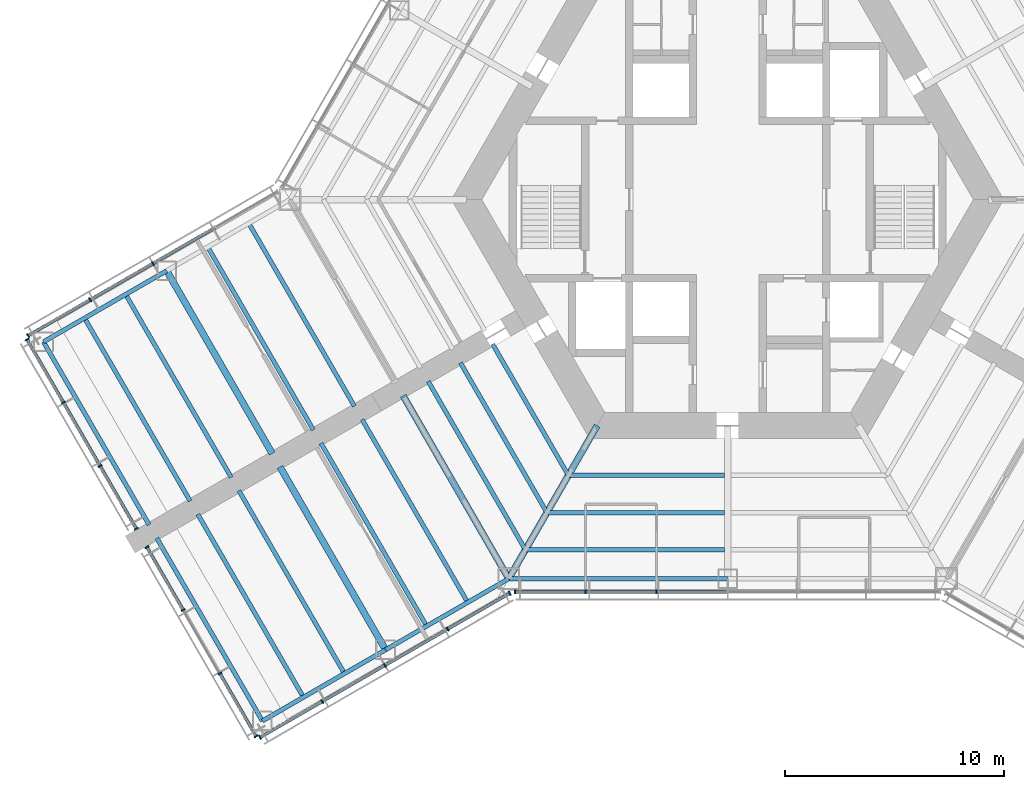
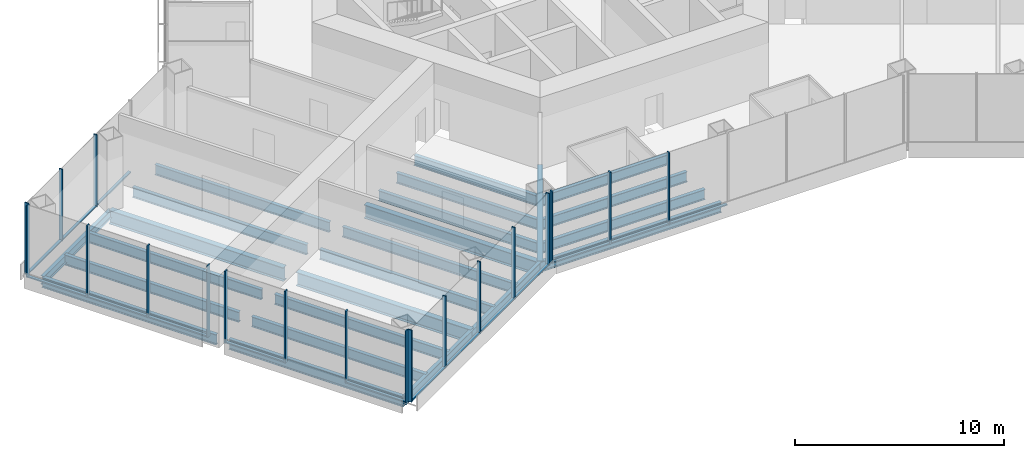
# One storey, part 2 of 17: 34 members, 24 beams, 5 elements without a shape of their own.
"""IFC4 building model written with IfcOpenShell, lengths in metres."""

from ifc_helpers import new_model, si_unit, direction, frame, origin, origin_2d, place, context, subcontext, project, spatial, rectangle, i_section, extrude, material, material_profile, profile_set, type_object, element, aggregate, save


model = new_model("IFC4")

# Units and contexts
model_context = context("Model", 3, precision=1e-05, world=origin(), true_north=direction((0.0, 1.0)))
body_context = subcontext(model_context, "Body", "Model", "MODEL_VIEW")
ifc_project = project(units=[si_unit("LENGTHUNIT", "METRE"), si_unit("AREAUNIT", "SQUARE_METRE"), si_unit("VOLUMEUNIT", "CUBIC_METRE"), si_unit("PLANEANGLEUNIT", "RADIAN"), si_unit("MASSUNIT", "GRAM", prefix="KILO")], contexts=[model_context])

# Site, building, storey
site_placement = place(None, origin())
site = spatial("IfcSite", under=ifc_project, at=site_placement, CompositionType="ELEMENT")
building_placement = place(site_placement, origin())
building = spatial("IfcBuilding", under=site, at=building_placement, Name="Kasaneha Research Tower", CompositionType="ELEMENT")
storey_placement = place(building_placement, frame((0.0, 0.0, 43.60009765625)))
storey = spatial("IfcBuildingStorey", under=building, at=storey_placement, Name="L11", CompositionType="ELEMENT", Elevation=43.60009765625)

# Beams
ifc_material_1 = material(Name="Steel SN490B", Category="steel")
ifc_material_profile_1 = material_profile(ifc_material_1, i_section(OverallWidth=0.199951171875, OverallDepth=0.60009765625, WebThickness=0.010986328125, FlangeThickness=0.01708984375, FilletRadius=0.012939453125, at=origin_2d()), Name="H-600x200x11x17")
ifc_profile_set_1 = profile_set([ifc_material_profile_1], Name="Steel SN490B")
beam_type_1 = type_object("IfcBeamType", Name="B1-2 secondary beam H-600x200x11x17", PredefinedType="JOIST", material=ifc_profile_set_1)
beam_1_placement = place(storey_placement, frame((-7.274658203125, -12.60009765625, -0.47021484375), z_axis=(-0.499972710878, 0.866041158593, 0.0), x_axis=(-0.866041158593, -0.499972710878, 0.0)))
element("IfcBeam", 1, at=beam_1_placement, inside=storey, type_object=beam_type_1, Name="Secondary beam RS210R1 L11", PredefinedType="JOIST", context=body_context, shape_type="SweptSolid", body=[
    extrude(i_section(OverallWidth=0.199951171875, OverallDepth=0.60009765625, WebThickness=0.010986328125, FlangeThickness=0.01708984375, FilletRadius=0.012939453125, at=origin_2d()), origin(), (0.0, 0.0, 1.0), 6.9248046875),
])
beam_2_placement = place(storey_placement, frame((-8.256103515625, -14.300048828125, -0.47021484375), z_axis=(-0.500004902938, 0.866022573054, 0.0), x_axis=(-0.866022573054, -0.500004902938, 0.0)))
element("IfcBeam", 2, at=beam_2_placement, inside=storey, type_object=beam_type_1, Name="Secondary beam RS210R2 L11", PredefinedType="JOIST", context=body_context, shape_type="SweptSolid", body=[
    extrude(i_section(OverallWidth=0.199951171875, OverallDepth=0.60009765625, WebThickness=0.010986328125, FlangeThickness=0.01708984375, FilletRadius=0.012939453125, at=origin_2d()), origin(), (0.0, 0.0, 1.0), 7.90625),
])
beam_3_placement = place(storey_placement, frame((-9.237548828125, -16.0, -0.47021484375), z_axis=(-0.500009382636, 0.866019986649, 0.0), x_axis=(-0.866019986649, -0.500009382636, 0.0)))
element("IfcBeam", 3, at=beam_3_placement, inside=storey, type_object=beam_type_1, Name="Secondary beam RS210R3 L11", PredefinedType="JOIST", context=body_context, shape_type="SweptSolid", body=[
    extrude(i_section(OverallWidth=0.199951171875, OverallDepth=0.60009765625, WebThickness=0.010986328125, FlangeThickness=0.01708984375, FilletRadius=0.012939453125, at=origin_2d()), origin(), (0.0, 0.0, 1.0), 8.887451171875),
])
beam_4_placement = place(storey_placement, frame((-7.274658203125, -12.60009765625, -0.47021484375), z_axis=(1.0, 0.0, 0.0), x_axis=(0.0, 1.0, 0.0)))
element("IfcBeam", 4, at=beam_4_placement, inside=storey, type_object=beam_type_1, Name="Secondary beam RS270L1 L11", PredefinedType="JOIST", context=body_context, shape_type="SweptSolid", body=[
    extrude(i_section(OverallWidth=0.199951171875, OverallDepth=0.60009765625, WebThickness=0.010986328125, FlangeThickness=0.01708984375, FilletRadius=0.012939453125, at=origin_2d()), origin(), (0.0, 0.0, 1.0), 7.124755859375),
])
beam_5_placement = place(storey_placement, frame((-8.256103515625, -14.300048828125, -0.47021484375), z_axis=(1.0, 0.0, 0.0), x_axis=(0.0, 1.0, 0.0)))
element("IfcBeam", 5, at=beam_5_placement, inside=storey, type_object=beam_type_1, Name="Secondary beam RS270L2 L11", PredefinedType="JOIST", context=body_context, shape_type="SweptSolid", body=[
    extrude(i_section(OverallWidth=0.199951171875, OverallDepth=0.60009765625, WebThickness=0.010986328125, FlangeThickness=0.01708984375, FilletRadius=0.012939453125, at=origin_2d()), origin(), (0.0, 0.0, 1.0), 8.106201171875),
])
beam_6_placement = place(storey_placement, frame((-9.237548828125, -16.0, -0.47021484375), z_axis=(1.0, 0.0, 0.0), x_axis=(0.0, 1.0, 0.0)))
element("IfcBeam", 6, at=beam_6_placement, inside=storey, type_object=beam_type_1, Name="Secondary beam RS270L3 L11", PredefinedType="JOIST", context=body_context, shape_type="SweptSolid", body=[
    extrude(i_section(OverallWidth=0.199951171875, OverallDepth=0.60009765625, WebThickness=0.010986328125, FlangeThickness=0.01708984375, FilletRadius=0.012939453125, at=origin_2d()), origin(), (0.0, 0.0, 1.0), 9.087646484375),
])
ifc_material_2 = material(Name="Steel SN490B", Category="steel")
ifc_material_profile_2 = material_profile(ifc_material_2, i_section(OverallWidth=0.198974609375, OverallDepth=0.595947265625, WebThickness=0.010009765625, FlangeThickness=0.014892578125, FilletRadius=0.012939453125, at=origin_2d()), Name="H-596x199x10x15")
ifc_profile_set_2 = profile_set([ifc_material_profile_2], Name="Steel SN490B")
beam_type_2 = type_object("IfcBeamType", Name="B2-2 secondary beam H-596x199x10x15", PredefinedType="JOIST", material=ifc_profile_set_2)
beam_7_placement = place(storey_placement, frame((-21.87646484375, -1.083251953125, -0.468017578125), z_axis=(0.500013717211, -0.866017484004, 0.0), x_axis=(0.866017484004, 0.500013717211, 0.0)))
element("IfcBeam", 7, at=beam_7_placement, inside=storey, type_object=beam_type_2, Name="Secondary beam WBBP1 L11", PredefinedType="JOIST", context=body_context, shape_type="SweptSolid", body=[
    extrude(i_section(OverallWidth=0.198974609375, OverallDepth=0.595947265625, WebThickness=0.010009765625, FlangeThickness=0.014892578125, FilletRadius=0.012939453125, at=origin_2d()), origin(), (0.0, 0.0, 1.0), 9.650146484375),
])
for number, where, z_axis, x_axis, name in (
    (8, (-23.752685546875, -2.166748046875, -0.468017578125), (0.499994742786, -0.866028439017, 0.0), (0.866028439017, 0.499994742786, 0.0), "Secondary beam WBBP2 L11"),
    (9, (-27.505615234375, -4.333251953125, -0.468017578125), (0.499994742786, -0.866028439017, 0.0), (0.866028439017, 0.499994742786, 0.0), "Secondary beam WBBP3 L11"),
    (10, (-29.3818359375, -5.416748046875, -0.468017578125), (0.499994742786, -0.866028439017, 0.0), (0.866028439017, 0.499994742786, 0.0), "Secondary beam WBBP4 L11"),
    (11, (-11.87646484375, -18.40380859375, -0.468017578125), (-0.499994742786, 0.866028439017, 0.0), (-0.866028439017, -0.499994742786, 0.0), "Secondary beam WBBN1 L11"),
    (12, (-13.752685546875, -19.487060546875, -0.468017578125), (-0.500024672494, 0.866011158645, 0.0), (-0.866011158645, -0.500024672494, 0.0), "Secondary beam WBBN2 L11"),
    (13, (-17.505615234375, -21.65380859375, -0.468017578125), (-0.499994742786, 0.866028439017, 0.0), (-0.866028439017, -0.499994742786, 0.0), "Secondary beam WBBN3 L11"),
    (14, (-19.3818359375, -22.737060546875, -0.468017578125), (-0.500024672494, 0.866011158645, 0.0), (-0.866011158645, -0.500024672494, 0.0), "Secondary beam WBBN4 L11"),
):
    element("IfcBeam", number, at=place(storey_placement, frame(where, z_axis=z_axis, x_axis=x_axis)), inside=storey, type_object=beam_type_2, Name=name, PredefinedType="JOIST", context=body_context, shape_type="SweptSolid", body=[
        extrude(i_section(OverallWidth=0.198974609375, OverallDepth=0.595947265625, WebThickness=0.010009765625, FlangeThickness=0.014892578125, FilletRadius=0.012939453125, at=origin_2d()), origin(), (0.0, 0.0, 1.0), 9.64990234375),
    ])

# Curtain wall, members
ifc_material_3 = material(Name="Glass and aluminium", Category="aluminium")
curtain_wall_type = type_object("IfcCurtainWallType", Name="Dry laboratory curtain wall", PredefinedType="USERDEFINED", material=ifc_material_3)
curtain_wall_1_placement = place(storey_placement, origin())
curtain_wall_1 = element("IfcCurtainWall", 15, at=curtain_wall_1_placement, inside=storey, type_object=curtain_wall_type, Name="CW-L2 L11 run 01a", ObjectType="UNITISED CURTAIN WALL", PredefinedType="USERDEFINED")
ifc_material_4 = material(Name="Aluminium 6063-T6", Category="aluminium")
ifc_material_profile_3 = material_profile(ifc_material_4, rectangle(XDim=0.06494140625, YDim=0.199951171875, at=origin_2d()), Name="CW-L2 mullion 65x200")
ifc_profile_set_3 = profile_set([ifc_material_profile_3], Name="Aluminium 6063-T6")
member_type_1 = type_object("IfcMemberType", Name="CW-L2 mullion", PredefinedType="MULLION", material=ifc_profile_set_3)
member_1_placement = place(storey_placement, frame((-21.36328125, -24.573974609375, 0.0), z_axis=(0.0, 0.0, 1.0), x_axis=(0.866025411464, 0.499999986699, 0.0)))
member_1 = element("IfcMember", 16, at=member_1_placement, type_object=member_type_1, Name="CW-L2 mullion 1", PredefinedType="MULLION", context=body_context, shape_type="SweptSolid", body=[
    extrude(rectangle(XDim=0.06494140625, YDim=0.199951171875, at=origin_2d()), origin(), (0.0, 0.0, 1.0), 4.199951171875),
])
member_2_placement = place(storey_placement, frame((-18.52490234375, -22.935302734375, 0.0), z_axis=(0.0, 0.0, 1.0), x_axis=(0.866025411464, 0.499999986699, 0.0)))
member_2 = element("IfcMember", 17, at=member_2_placement, type_object=member_type_1, Name="CW-L2 mullion 2", PredefinedType="MULLION", context=body_context, shape_type="SweptSolid", body=[
    extrude(rectangle(XDim=0.06494140625, YDim=0.199951171875, at=origin_2d()), origin(), (0.0, 0.0, 1.0), 4.199951171875),
])
member_3_placement = place(storey_placement, frame((-15.65869140625, -21.2802734375, 0.0), z_axis=(0.0, 0.0, 1.0), x_axis=(0.866025411464, 0.499999986699, 0.0)))
member_3 = element("IfcMember", 18, at=member_3_placement, type_object=member_type_1, Name="CW-L2 mullion 3", PredefinedType="MULLION", context=body_context, shape_type="SweptSolid", body=[
    extrude(rectangle(XDim=0.06494140625, YDim=0.199951171875, at=origin_2d()), origin(), (0.0, 0.0, 1.0), 4.199951171875),
])
member_4_placement = place(storey_placement, frame((-12.792236328125, -19.62548828125, 0.0), z_axis=(0.0, 0.0, 1.0), x_axis=(0.866025411464, 0.499999986699, 0.0)))
member_4 = element("IfcMember", 19, at=member_4_placement, type_object=member_type_1, Name="CW-L2 mullion 4", PredefinedType="MULLION", context=body_context, shape_type="SweptSolid", body=[
    extrude(rectangle(XDim=0.06494140625, YDim=0.199951171875, at=origin_2d()), origin(), (0.0, 0.0, 1.0), 4.199951171875),
])
member_5_placement = place(storey_placement, frame((-9.953857421875, -17.98681640625, 0.0), z_axis=(0.0, 0.0, 1.0), x_axis=(0.866025411464, 0.499999986699, 0.0)))
member_5 = element("IfcMember", 20, at=member_5_placement, type_object=member_type_1, Name="CW-L2 mullion 5", PredefinedType="MULLION", context=body_context, shape_type="SweptSolid", body=[
    extrude(rectangle(XDim=0.06494140625, YDim=0.199951171875, at=origin_2d()), origin(), (0.0, 0.0, 1.0), 4.199951171875),
])

curtain_wall_2_placement = place(storey_placement, origin())
curtain_wall_2 = element("IfcCurtainWall", 21, at=curtain_wall_2_placement, inside=storey, type_object=curtain_wall_type, Name="CW-L2 L11 run 02a", ObjectType="UNITISED CURTAIN WALL", PredefinedType="USERDEFINED")
member_6_placement = place(storey_placement, frame((-9.706787109375, -17.92041015625, 0.0), z_axis=(0.0, 0.0, 1.0), x_axis=(1.0, 0.0, 0.0)))
member_6 = element("IfcMember", 22, at=member_6_placement, type_object=member_type_1, Name="CW-L2 mullion 1", PredefinedType="MULLION", context=body_context, shape_type="SweptSolid", body=[
    extrude(rectangle(XDim=0.06494140625, YDim=0.199951171875, at=origin_2d()), origin(), (0.0, 0.0, 1.0), 4.199951171875),
])
member_7_placement = place(storey_placement, frame((-6.492919921875, -17.92041015625, 0.0), z_axis=(0.0, 0.0, 1.0), x_axis=(1.0, 0.0, 0.0)))
member_7 = element("IfcMember", 23, at=member_7_placement, type_object=member_type_1, Name="CW-L2 mullion 2", PredefinedType="MULLION", context=body_context, shape_type="SweptSolid", body=[
    extrude(rectangle(XDim=0.06494140625, YDim=0.199951171875, at=origin_2d()), origin(), (0.0, 0.0, 1.0), 4.199951171875),
])
member_8_placement = place(storey_placement, frame((-3.246337890625, -17.92041015625, 0.0), z_axis=(0.0, 0.0, 1.0), x_axis=(1.0, 0.0, 0.0)))
member_8 = element("IfcMember", 24, at=member_8_placement, type_object=member_type_1, Name="CW-L2 mullion 3", PredefinedType="MULLION", context=body_context, shape_type="SweptSolid", body=[
    extrude(rectangle(XDim=0.06494140625, YDim=0.199951171875, at=origin_2d()), origin(), (0.0, 0.0, 1.0), 4.199951171875),
])

curtain_wall_3_placement = place(storey_placement, origin())
curtain_wall_3 = element("IfcCurtainWall", 25, at=curtain_wall_3_placement, inside=storey, type_object=curtain_wall_type, Name="CW-L2 L11 run 13a", ObjectType="UNITISED CURTAIN WALL", PredefinedType="USERDEFINED")
member_9_placement = place(storey_placement, frame((-26.258544921875, -2.920654296875, 0.0), z_axis=(0.0, 0.0, 1.0), x_axis=(-0.866025411464, -0.499999986699, 0.0)))
member_9 = element("IfcMember", 26, at=member_9_placement, type_object=member_type_1, Name="CW-L2 mullion 3", PredefinedType="MULLION", context=body_context, shape_type="SweptSolid", body=[
    extrude(rectangle(XDim=0.06494140625, YDim=0.199951171875, at=origin_2d()), origin(), (0.0, 0.0, 1.0), 4.199951171875),
])
member_10_placement = place(storey_placement, frame((-29.125, -4.575439453125, 0.0), z_axis=(0.0, 0.0, 1.0), x_axis=(-0.866025411464, -0.499999986699, 0.0)))
member_10 = element("IfcMember", 27, at=member_10_placement, type_object=member_type_1, Name="CW-L2 mullion 4", PredefinedType="MULLION", context=body_context, shape_type="SweptSolid", body=[
    extrude(rectangle(XDim=0.06494140625, YDim=0.199951171875, at=origin_2d()), origin(), (0.0, 0.0, 1.0), 4.199951171875),
])
member_11_placement = place(storey_placement, frame((-31.963134765625, -6.214111328125, 0.0), z_axis=(0.0, 0.0, 1.0), x_axis=(-0.866025411464, -0.499999986699, 0.0)))
member_11 = element("IfcMember", 28, at=member_11_placement, type_object=member_type_1, Name="CW-L2 mullion 5", PredefinedType="MULLION", context=body_context, shape_type="SweptSolid", body=[
    extrude(rectangle(XDim=0.06494140625, YDim=0.199951171875, at=origin_2d()), origin(), (0.0, 0.0, 1.0), 4.199951171875),
])

curtain_wall_4_placement = place(storey_placement, origin())
curtain_wall_4 = element("IfcCurtainWall", 29, at=curtain_wall_4_placement, inside=storey, type_object=curtain_wall_type, Name="CW-L2 L11 run 14a", ObjectType="UNITISED CURTAIN WALL", PredefinedType="USERDEFINED")
member_12_placement = place(storey_placement, frame((-32.01171875, -6.39501953125, 0.0), z_axis=(0.0, 0.0, 1.0), x_axis=(0.500000011442, -0.866025397178, 0.0)))
member_12 = element("IfcMember", 30, at=member_12_placement, type_object=member_type_1, Name="CW-L2 mullion 1", PredefinedType="MULLION", context=body_context, shape_type="SweptSolid", body=[
    extrude(rectangle(XDim=0.06494140625, YDim=0.199951171875, at=origin_2d()), origin(), (0.0, 0.0, 1.0), 4.199951171875),
])
member_13_placement = place(storey_placement, frame((-30.35302734375, -9.26806640625, 0.0), z_axis=(0.0, 0.0, 1.0), x_axis=(0.500000011442, -0.866025397178, 0.0)))
member_13 = element("IfcMember", 31, at=member_13_placement, type_object=member_type_1, Name="CW-L2 mullion 2", PredefinedType="MULLION", context=body_context, shape_type="SweptSolid", body=[
    extrude(rectangle(XDim=0.06494140625, YDim=0.199951171875, at=origin_2d()), origin(), (0.0, 0.0, 1.0), 4.199951171875),
])
member_14_placement = place(storey_placement, frame((-28.677978515625, -12.16943359375, 0.0), z_axis=(0.0, 0.0, 1.0), x_axis=(0.500000011442, -0.866025397178, 0.0)))
member_14 = element("IfcMember", 32, at=member_14_placement, type_object=member_type_1, Name="CW-L2 mullion 3", PredefinedType="MULLION", context=body_context, shape_type="SweptSolid", body=[
    extrude(rectangle(XDim=0.06494140625, YDim=0.199951171875, at=origin_2d()), origin(), (0.0, 0.0, 1.0), 4.199951171875),
])
member_15_placement = place(storey_placement, frame((-27.019287109375, -15.04248046875, 0.0), z_axis=(0.0, 0.0, 1.0), x_axis=(0.500000011442, -0.866025397178, 0.0)))
member_15 = element("IfcMember", 33, at=member_15_placement, type_object=member_type_1, Name="CW-L2 mullion 4", PredefinedType="MULLION", context=body_context, shape_type="SweptSolid", body=[
    extrude(rectangle(XDim=0.06494140625, YDim=0.199951171875, at=origin_2d()), origin(), (0.0, 0.0, 1.0), 4.199951171875),
])

curtain_wall_5_placement = place(storey_placement, origin())
curtain_wall_5 = element("IfcCurtainWall", 34, at=curtain_wall_5_placement, inside=storey, type_object=curtain_wall_type, Name="CW-L2 L11 run 15a", ObjectType="UNITISED CURTAIN WALL", PredefinedType="USERDEFINED")
member_16_placement = place(storey_placement, frame((-26.53662109375, -15.878173828125, 0.0), z_axis=(0.0, 0.0, 1.0), x_axis=(0.500000011442, -0.866025397178, 0.0)))
member_16 = element("IfcMember", 35, at=member_16_placement, type_object=member_type_1, Name="CW-L2 mullion 1", PredefinedType="MULLION", context=body_context, shape_type="SweptSolid", body=[
    extrude(rectangle(XDim=0.06494140625, YDim=0.199951171875, at=origin_2d()), origin(), (0.0, 0.0, 1.0), 4.199951171875),
])
member_17_placement = place(storey_placement, frame((-24.8779296875, -18.751220703125, 0.0), z_axis=(0.0, 0.0, 1.0), x_axis=(0.500000011442, -0.866025397178, 0.0)))
member_17 = element("IfcMember", 36, at=member_17_placement, type_object=member_type_1, Name="CW-L2 mullion 2", PredefinedType="MULLION", context=body_context, shape_type="SweptSolid", body=[
    extrude(rectangle(XDim=0.06494140625, YDim=0.199951171875, at=origin_2d()), origin(), (0.0, 0.0, 1.0), 4.199951171875),
])
member_18_placement = place(storey_placement, frame((-23.202880859375, -21.65234375, 0.0), z_axis=(0.0, 0.0, 1.0), x_axis=(0.500000011442, -0.866025397178, 0.0)))
member_18 = element("IfcMember", 37, at=member_18_placement, type_object=member_type_1, Name="CW-L2 mullion 3", PredefinedType="MULLION", context=body_context, shape_type="SweptSolid", body=[
    extrude(rectangle(XDim=0.06494140625, YDim=0.199951171875, at=origin_2d()), origin(), (0.0, 0.0, 1.0), 4.199951171875),
])
member_19_placement = place(storey_placement, frame((-21.544189453125, -24.525390625, 0.0), z_axis=(0.0, 0.0, 1.0), x_axis=(0.500000011442, -0.866025397178, 0.0)))
member_19 = element("IfcMember", 38, at=member_19_placement, type_object=member_type_1, Name="CW-L2 mullion 4", PredefinedType="MULLION", context=body_context, shape_type="SweptSolid", body=[
    extrude(rectangle(XDim=0.06494140625, YDim=0.199951171875, at=origin_2d()), origin(), (0.0, 0.0, 1.0), 4.199951171875),
])

# Member
ifc_material_5 = material(Name="Aluminium 6063-T6", Category="aluminium")
ifc_material_profile_4 = material_profile(ifc_material_5, rectangle(XDim=0.14990234375, YDim=0.06494140625, at=origin_2d()), Name="CW-L2 transom 150x65")
ifc_profile_set_4 = profile_set([ifc_material_profile_4], Name="Aluminium 6063-T6")
member_type_2 = type_object("IfcMemberType", Name="CW-L2 transom", PredefinedType="USERDEFINED", material=ifc_profile_set_4)
member_20_placement = place(storey_placement, frame((-21.3349609375, -24.5576171875, 0.032470703125), z_axis=(0.86600331843, 0.500038251005, 0.0), x_axis=(-0.500038251005, 0.86600331843, 0.0)))
member_20 = element("IfcMember", 39, at=member_20_placement, type_object=member_type_2, Name="CW-L2 transom 1", ObjectType="TRANSOM", PredefinedType="USERDEFINED", context=body_context, shape_type="SweptSolid", body=[
    extrude(rectangle(XDim=0.14990234375, YDim=0.06494140625, at=origin_2d()), origin(), (0.0, 0.0, 1.0), 3.212158203125),
])

member_21_placement = place(storey_placement, frame((-18.496826171875, -22.9189453125, 0.032470703125), z_axis=(0.866035229914, 0.499982980259, 0.0), x_axis=(-0.499982980259, 0.866035229914, 0.0)))
member_21 = element("IfcMember", 40, at=member_21_placement, type_object=member_type_2, Name="CW-L2 transom 2", ObjectType="TRANSOM", PredefinedType="USERDEFINED", context=body_context, shape_type="SweptSolid", body=[
    extrude(rectangle(XDim=0.14990234375, YDim=0.06494140625, at=origin_2d()), origin(), (0.0, 0.0, 1.0), 3.24462890625),
])

member_22_placement = place(storey_placement, frame((-15.63037109375, -21.26416015625, 0.032470703125), z_axis=(0.866002649306, 0.500039409842, 0.0), x_axis=(-0.500039409842, 0.866002649306, 0.0)))
member_22 = element("IfcMember", 41, at=member_22_placement, type_object=member_type_2, Name="CW-L2 transom 3", ObjectType="TRANSOM", PredefinedType="USERDEFINED", context=body_context, shape_type="SweptSolid", body=[
    extrude(rectangle(XDim=0.14990234375, YDim=0.06494140625, at=origin_2d()), origin(), (0.0, 0.0, 1.0), 3.244873046875),
])

member_23_placement = place(storey_placement, frame((-12.76416015625, -19.609130859375, 0.032470703125), z_axis=(0.866022320763, 0.500005339912, 0.0), x_axis=(-0.500005339912, 0.866022320763, 0.0)))
member_23 = element("IfcMember", 42, at=member_23_placement, type_object=member_type_2, Name="CW-L2 transom 4", ObjectType="TRANSOM", PredefinedType="USERDEFINED", context=body_context, shape_type="SweptSolid", body=[
    extrude(rectangle(XDim=0.14990234375, YDim=0.06494140625, at=origin_2d()), origin(), (0.0, 0.0, 1.0), 3.21240234375),
])

aggregate(curtain_wall_1, [member_1, member_2, member_3, member_4, member_5, member_20, member_21, member_22, member_23])

member_24_placement = place(storey_placement, frame((-9.67431640625, -17.92041015625, 0.032470703125), z_axis=(1.0, 0.0, 0.0), x_axis=(0.0, 1.0, 0.0)))
member_24 = element("IfcMember", 43, at=member_24_placement, type_object=member_type_2, Name="CW-L2 transom 1", ObjectType="TRANSOM", PredefinedType="USERDEFINED", context=body_context, shape_type="SweptSolid", body=[
    extrude(rectangle(XDim=0.14990234375, YDim=0.06494140625, at=origin_2d()), origin(), (0.0, 0.0, 1.0), 3.14892578125),
])

member_25_placement = place(storey_placement, frame((-6.460205078125, -17.92041015625, 0.032470703125), z_axis=(1.0, 0.0, 0.0), x_axis=(0.0, 1.0, 0.0)))
member_25 = element("IfcMember", 44, at=member_25_placement, type_object=member_type_2, Name="CW-L2 transom 2", ObjectType="TRANSOM", PredefinedType="USERDEFINED", context=body_context, shape_type="SweptSolid", body=[
    extrude(rectangle(XDim=0.14990234375, YDim=0.06494140625, at=origin_2d()), origin(), (0.0, 0.0, 1.0), 3.181396484375),
])

member_26_placement = place(storey_placement, frame((-3.2138671875, -17.92041015625, 0.032470703125), z_axis=(1.0, 0.0, 0.0), x_axis=(0.0, 1.0, 0.0)))
member_26 = element("IfcMember", 45, at=member_26_placement, type_object=member_type_2, Name="CW-L2 transom 3", ObjectType="TRANSOM", PredefinedType="USERDEFINED", context=body_context, shape_type="SweptSolid", body=[
    extrude(rectangle(XDim=0.14990234375, YDim=0.06494140625, at=origin_2d()), origin(), (0.0, 0.0, 1.0), 3.181396484375),
])

aggregate(curtain_wall_2, [member_6, member_7, member_8, member_24, member_25, member_26])

member_27_placement = place(storey_placement, frame((-23.42041015625, -1.281982421875, 0.032470703125), z_axis=(-0.866035229914, -0.499982980259, 0.0), x_axis=(0.499982980259, -0.866035229914, 0.0)))
member_27 = element("IfcMember", 46, at=member_27_placement, type_object=member_type_2, Name="CW-L2 transom 2", ObjectType="TRANSOM", PredefinedType="USERDEFINED", context=body_context, shape_type="SweptSolid", body=[
    extrude(rectangle(XDim=0.14990234375, YDim=0.06494140625, at=origin_2d()), origin(), (0.0, 0.0, 1.0), 3.24462890625),
])

member_28_placement = place(storey_placement, frame((-26.28662109375, -2.936767578125, 0.032470703125), z_axis=(-0.866021460221, -0.500006830391, 0.0), x_axis=(0.500006830391, -0.866021460221, 0.0)))
member_28 = element("IfcMember", 47, at=member_28_placement, type_object=member_type_2, Name="CW-L2 transom 3", ObjectType="TRANSOM", PredefinedType="USERDEFINED", context=body_context, shape_type="SweptSolid", body=[
    extrude(rectangle(XDim=0.14990234375, YDim=0.06494140625, at=origin_2d()), origin(), (0.0, 0.0, 1.0), 3.2451171875),
])

member_29_placement = place(storey_placement, frame((-29.153076171875, -4.591796875, 0.032470703125), z_axis=(-0.866022320763, -0.500005339912, 0.0), x_axis=(0.500005339912, -0.866022320763, 0.0)))
member_29 = element("IfcMember", 48, at=member_29_placement, type_object=member_type_2, Name="CW-L2 transom 4", ObjectType="TRANSOM", PredefinedType="USERDEFINED", context=body_context, shape_type="SweptSolid", body=[
    extrude(rectangle(XDim=0.14990234375, YDim=0.06494140625, at=origin_2d()), origin(), (0.0, 0.0, 1.0), 3.21240234375),
])

aggregate(curtain_wall_3, [member_9, member_10, member_11, member_27, member_28, member_29])

member_30_placement = place(storey_placement, frame((-31.995361328125, -6.42333984375, 0.032470703125), z_axis=(0.500006189695, -0.866021830133, 0.0), x_axis=(0.866021830133, 0.500006189695, 0.0)))
member_30 = element("IfcMember", 49, at=member_30_placement, type_object=member_type_2, Name="CW-L2 transom 1", ObjectType="TRANSOM", PredefinedType="USERDEFINED", context=body_context, shape_type="SweptSolid", body=[
    extrude(rectangle(XDim=0.14990234375, YDim=0.06494140625, at=origin_2d()), origin(), (0.0, 0.0, 1.0), 3.25244140625),
])

member_31_placement = place(storey_placement, frame((-30.336669921875, -9.29638671875, 0.032470703125), z_axis=(0.500039835994, -0.866002403241, 0.0), x_axis=(0.866002403241, 0.500039835994, 0.0)))
member_31 = element("IfcMember", 50, at=member_31_placement, type_object=member_type_2, Name="CW-L2 transom 2", ObjectType="TRANSOM", PredefinedType="USERDEFINED", context=body_context, shape_type="SweptSolid", body=[
    extrude(rectangle(XDim=0.14990234375, YDim=0.06494140625, at=origin_2d()), origin(), (0.0, 0.0, 1.0), 3.284912109375),
])

member_32_placement = place(storey_placement, frame((-28.66162109375, -12.197509765625, 0.032470703125), z_axis=(0.500006189695, -0.866021830133, 0.0), x_axis=(0.866021830133, 0.500006189695, 0.0)))
member_32 = element("IfcMember", 51, at=member_32_placement, type_object=member_type_2, Name="CW-L2 transom 3", ObjectType="TRANSOM", PredefinedType="USERDEFINED", context=body_context, shape_type="SweptSolid", body=[
    extrude(rectangle(XDim=0.14990234375, YDim=0.06494140625, at=origin_2d()), origin(), (0.0, 0.0, 1.0), 3.25244140625),
])

aggregate(curtain_wall_4, [member_12, member_13, member_14, member_15, member_30, member_31, member_32])

member_33_placement = place(storey_placement, frame((-26.5205078125, -15.90625, 0.032470703125), z_axis=(0.500006189695, -0.866021830133, 0.0), x_axis=(0.866021830133, 0.500006189695, 0.0)))
member_33 = element("IfcMember", 52, at=member_33_placement, type_object=member_type_2, Name="CW-L2 transom 1", ObjectType="TRANSOM", PredefinedType="USERDEFINED", context=body_context, shape_type="SweptSolid", body=[
    extrude(rectangle(XDim=0.14990234375, YDim=0.06494140625, at=origin_2d()), origin(), (0.0, 0.0, 1.0), 3.25244140625),
])

member_34_placement = place(storey_placement, frame((-23.186767578125, -21.680419921875, 0.032470703125), z_axis=(0.499973687205, -0.866040594951, 0.0), x_axis=(0.866040594951, 0.499973687205, 0.0)))
member_34 = element("IfcMember", 53, at=member_34_placement, type_object=member_type_2, Name="CW-L2 transom 3", ObjectType="TRANSOM", PredefinedType="USERDEFINED", context=body_context, shape_type="SweptSolid", body=[
    extrude(rectangle(XDim=0.14990234375, YDim=0.06494140625, at=origin_2d()), origin(), (0.0, 0.0, 1.0), 3.252685546875),
])

aggregate(curtain_wall_5, [member_16, member_17, member_18, member_19, member_33, member_34])

# Beams
ifc_material_6 = material(Name="Steel SN490B", Category="steel")
ifc_material_profile_5 = material_profile(ifc_material_6, i_section(OverallWidth=0.300048828125, OverallDepth=0.699951171875, WebThickness=0.012939453125, FlangeThickness=0.02392578125, FilletRadius=0.01806640625, at=origin_2d()), Name="H-700x300x13x24")
ifc_profile_set_5 = profile_set([ifc_material_profile_5], Name="Steel SN490B")
beam_type_3 = type_object("IfcBeamType", Name="G1-2 radial girder H-700x300x13x24", PredefinedType="BEAM", material=ifc_profile_set_5)
beam_8_placement = place(storey_placement, frame((-5.961181640625, -10.324951171875, -0.52001953125), z_axis=(-0.49999105496, -0.866030568144, 0.0), x_axis=(0.866030568144, -0.49999105496, 0.0)))
element("IfcBeam", 54, at=beam_8_placement, inside=storey, type_object=beam_type_3, Name="Radial girder RV240 L11", PredefinedType="BEAM", context=body_context, shape_type="SweptSolid", body=[
    extrude(i_section(OverallWidth=0.300048828125, OverallDepth=0.699951171875, WebThickness=0.012939453125, FlangeThickness=0.02392578125, FilletRadius=0.01806640625, at=origin_2d()), origin(), (0.0, 0.0, 1.0), 8.077880859375),
])
ifc_material_7 = material(Name="Steel SN490B", Category="steel")
ifc_material_profile_6 = material_profile(ifc_material_7, i_section(OverallWidth=0.300048828125, OverallDepth=0.7919921875, WebThickness=0.013916015625, FlangeThickness=0.02197265625, FilletRadius=0.01806640625, at=origin_2d()), Name="H-792x300x14x22")
ifc_profile_set_6 = profile_set([ifc_material_profile_6], Name="Steel SN490B")
beam_type_4 = type_object("IfcBeamType", Name="G3-2 plate edge girder H-792x300x14x22", PredefinedType="BEAM", material=ifc_profile_set_6)
beam_9_placement = place(storey_placement, frame((-10.0, -17.320556640625, -0.566162109375), z_axis=(-0.499994742786, 0.866028439017, 0.0), x_axis=(-0.866028439017, -0.499994742786, 0.0)))
element("IfcBeam", 55, at=beam_9_placement, inside=storey, type_object=beam_type_4, Name="Plate edge girder PEBN L11", PredefinedType="BEAM", context=body_context, shape_type="SweptSolid", body=[
    extrude(i_section(OverallWidth=0.300048828125, OverallDepth=0.7919921875, WebThickness=0.013916015625, FlangeThickness=0.02197265625, FilletRadius=0.01806640625, at=origin_2d()), origin(), (0.0, 0.0, 1.0), 9.64990234375),
])
ifc_material_8 = material(Name="Steel SN490B", Category="steel")
ifc_material_profile_7 = material_profile(ifc_material_8, i_section(OverallWidth=0.300048828125, OverallDepth=0.800048828125, WebThickness=0.013916015625, FlangeThickness=0.02587890625, FilletRadius=0.01806640625, at=origin_2d()), Name="H-800x300x14x26")
ifc_profile_set_7 = profile_set([ifc_material_profile_7], Name="Steel SN490B")
beam_type_5 = type_object("IfcBeamType", Name="G4-2 wing girder H-800x300x14x26", PredefinedType="BEAM", material=ifc_profile_set_7)
for number, where, z_axis, x_axis, name in (
    (56, (-25.629150390625, -3.25, -0.570068359375), (0.499994742786, -0.866028439017, 0.0), (0.866028439017, 0.499994742786, 0.0), "Wing girder WGBP L11"),
    (57, (-15.629150390625, -20.570556640625, -0.570068359375), (-0.499994742786, 0.866028439017, 0.0), (-0.866028439017, -0.499994742786, 0.0), "Wing girder WGBN L11"),
):
    element("IfcBeam", number, at=place(storey_placement, frame(where, z_axis=z_axis, x_axis=x_axis)), inside=storey, type_object=beam_type_5, Name=name, PredefinedType="BEAM", context=body_context, shape_type="SweptSolid", body=[
        extrude(i_section(OverallWidth=0.300048828125, OverallDepth=0.800048828125, WebThickness=0.013916015625, FlangeThickness=0.02587890625, FilletRadius=0.01806640625, at=origin_2d()), origin(), (0.0, 0.0, 1.0), 9.64990234375),
    ])
ifc_material_9 = material(Name="Steel SN490B", Category="steel")
ifc_material_profile_8 = material_profile(ifc_material_9, i_section(OverallWidth=0.199951171875, OverallDepth=0.60009765625, WebThickness=0.010986328125, FlangeThickness=0.01708984375, FilletRadius=0.012939453125, at=origin_2d()), Name="H-600x200x11x17")
ifc_profile_set_8 = profile_set([ifc_material_profile_8], Name="Steel SN490B")
beam_type_6 = type_object("IfcBeamType", Name="SB1-2 spandrel beam H-600x200x11x17", PredefinedType="SPANDREL", material=ifc_profile_set_8)
beam_10_placement = place(storey_placement, frame((-10.0, -17.320556640625, -0.47021484375), z_axis=(1.0, 0.0, 0.0), x_axis=(0.0, 1.0, 0.0)))
element("IfcBeam", 58, at=beam_10_placement, inside=storey, type_object=beam_type_6, Name="Spandrel beam SR270L L11", PredefinedType="SPANDREL", context=body_context, shape_type="SweptSolid", body=[
    extrude(i_section(OverallWidth=0.199951171875, OverallDepth=0.60009765625, WebThickness=0.010986328125, FlangeThickness=0.01708984375, FilletRadius=0.012939453125, at=origin_2d()), origin(), (0.0, 0.0, 1.0), 10.0),
])
ifc_material_10 = material(Name="Steel SN490B", Category="steel")
ifc_material_profile_9 = material_profile(ifc_material_10, i_section(OverallWidth=0.199951171875, OverallDepth=0.5, WebThickness=0.010009765625, FlangeThickness=0.01611328125, FilletRadius=0.012939453125, at=origin_2d()), Name="H-500x200x10x16")
ifc_profile_set_9 = profile_set([ifc_material_profile_9], Name="Steel SN490B")
beam_type_7 = type_object("IfcBeamType", Name="SB2-2 spandrel beam H-500x200x10x16", PredefinedType="SPANDREL", material=ifc_profile_set_9)
for number, where, z_axis, x_axis, name in (
    (59, (-25.629150390625, -3.25, -0.420166015625), (-0.866024837091, -0.50000098154, 0.0), (0.50000098154, -0.866024837091, 0.0), "Spandrel beam WSBP2 L11"),
    (60, (-10.0, -17.320556640625, -0.420166015625), (-0.866024837091, -0.50000098154, 0.0), (0.50000098154, -0.866024837091, 0.0), "Spandrel beam WSBN1 L11"),
    (61, (-15.629150390625, -20.570556640625, -0.420166015625), (-0.866024837091, -0.50000098154, 0.0), (0.50000098154, -0.866024837091, 0.0), "Spandrel beam WSBN2 L11"),
):
    element("IfcBeam", number, at=place(storey_placement, frame(where, z_axis=z_axis, x_axis=x_axis)), inside=storey, type_object=beam_type_7, Name=name, PredefinedType="SPANDREL", context=body_context, shape_type="SweptSolid", body=[
        extrude(i_section(OverallWidth=0.199951171875, OverallDepth=0.5, WebThickness=0.010009765625, FlangeThickness=0.01611328125, FilletRadius=0.012939453125, at=origin_2d()), origin(), (0.0, 0.0, 1.0), 6.5),
    ])
ifc_material_11 = material(Name="Steel SN490B", Category="steel")
ifc_material_profile_10 = material_profile(ifc_material_11, i_section(OverallWidth=0.199951171875, OverallDepth=0.60009765625, WebThickness=0.010986328125, FlangeThickness=0.01708984375, FilletRadius=0.012939453125, at=origin_2d()), Name="H-600x200x11x17")
ifc_profile_set_10 = profile_set([ifc_material_profile_10], Name="Steel SN490B")
beam_type_8 = type_object("IfcBeamType", Name="SB3-2 spandrel beam H-600x200x11x17", PredefinedType="SPANDREL", material=ifc_profile_set_10)
for number, where, z_axis, x_axis, name in (
    (62, (-31.25830078125, -6.5, -0.47021484375), (0.499994742786, -0.866028439017, 0.0), (0.866028439017, 0.499994742786, 0.0), "Spandrel beam WTBP L11"),
    (63, (-21.25830078125, -23.820556640625, -0.47021484375), (-0.499994742786, 0.866028439017, 0.0), (-0.866028439017, -0.499994742786, 0.0), "Spandrel beam WTBN L11"),
):
    element("IfcBeam", number, at=place(storey_placement, frame(where, z_axis=z_axis, x_axis=x_axis)), inside=storey, type_object=beam_type_8, Name=name, PredefinedType="SPANDREL", context=body_context, shape_type="SweptSolid", body=[
        extrude(i_section(OverallWidth=0.199951171875, OverallDepth=0.60009765625, WebThickness=0.010986328125, FlangeThickness=0.01708984375, FilletRadius=0.012939453125, at=origin_2d()), origin(), (0.0, 0.0, 1.0), 9.64990234375),
    ])

save(model, "model.ifc")
